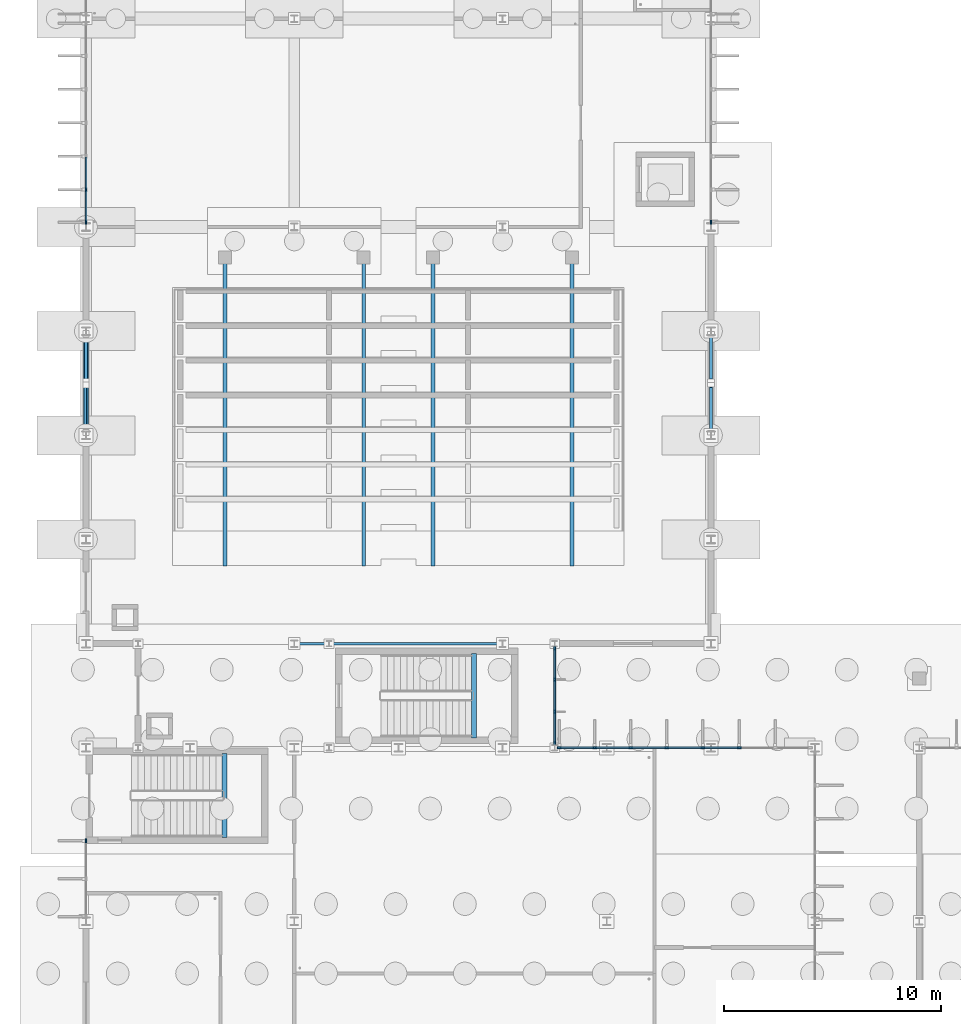
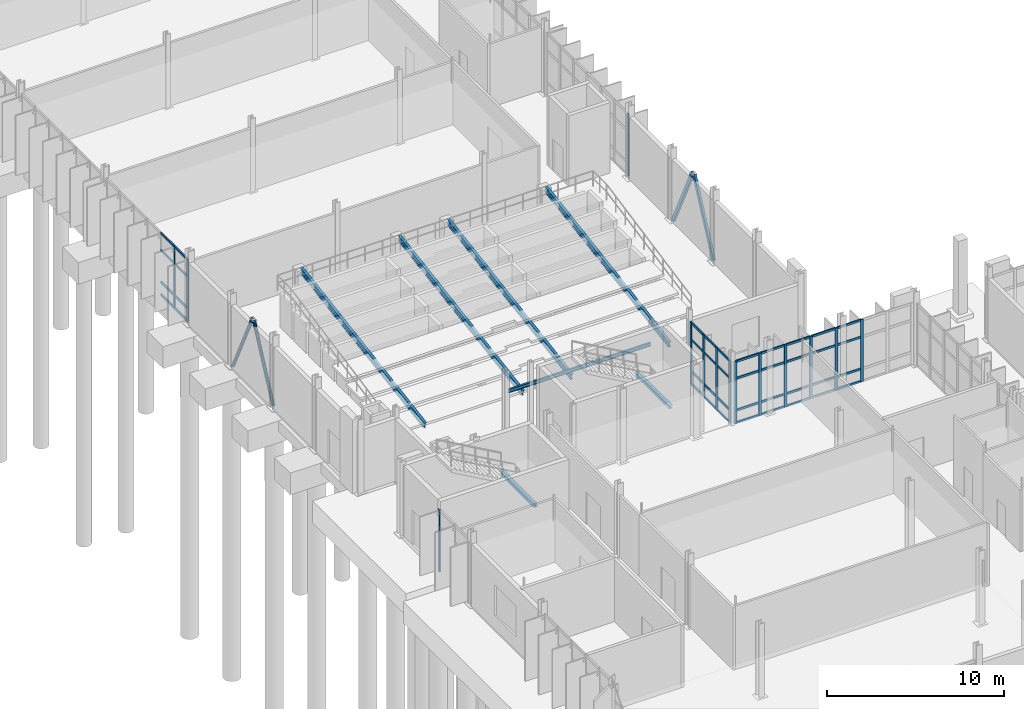
# One storey, part 24 of 111: 62 members, 3 beams, 5 elements without a shape of their own.
"""IFC4 building model written with IfcOpenShell, lengths in metres."""

import ifcopenshell
import ifcopenshell.guid

model = None  # the IFC model being written
_history = None  # IfcOwnerHistory: only IFC2X3 demands one
_inside = {}  # id of a spatial element -> (the spatial element, [elements in it])
_under = {}  # id of a project, library or spatial element -> (it, [spatial elements below it])
_declared = {}  # id of a project -> (the project, [libraries it declares])
_typed = {}  # id of a type object -> (the type object, [elements of that type])
_made_of = {}  # id of a material, layer set ... -> (it, [elements and type objects made of it])


def new_model(schema):
    """Start an empty IFC model of exactly this schema.

    Asked for "IFC4X3", IfcOpenShell would pick the latest addendum, in which some entities
    have other attributes; the version numbers below select the first issue.
    IFC2X3 requires an IfcOwnerHistory on every rooted entity: one is made here for all.
    """
    global model, _history
    if schema == "IFC4X3":
        model = ifcopenshell.file(schema_version=(4, 3, 0, 0))
    else:
        model = ifcopenshell.file(schema=schema)
    _inside.clear()
    _under.clear()
    _declared.clear()
    _typed.clear()
    _made_of.clear()
    _history = None
    if model.schema == "IFC2X3":
        org = make("IfcOrganization", Name="unknown")
        user = make(
            "IfcPersonAndOrganization",
            ThePerson=make("IfcPerson", FamilyName="unknown"),
            TheOrganization=org,
        )
        app = make(
            "IfcApplication",
            ApplicationDeveloper=org,
            Version="unknown",
            ApplicationFullName="unknown",
            ApplicationIdentifier="unknown",
        )
        _history = make(
            "IfcOwnerHistory",
            OwningUser=user,
            OwningApplication=app,
            ChangeAction="ADDED",
            CreationDate=0,
        )
    return model


def make(cls, **values):
    """One entity of the class cls with the attributes given. An attribute that is None is left unset."""
    return model.create_entity(
        cls, **{name: value for name, value in values.items() if value is not None}
    )


def rooted(cls, **values):
    """An entity with a GlobalId (a new one), such as an element, a storey or a relation."""
    return make(cls, GlobalId=ifcopenshell.guid.new(), OwnerHistory=_history, **values)


def si_unit(unit_type, name, prefix=None):
    """IfcSIUnit, for example si_unit("LENGTHUNIT", "METRE", prefix="MILLI")."""
    return make("IfcSIUnit", UnitType=unit_type, Prefix=prefix, Name=name)


def assignment(units):
    """IfcUnitAssignment: the units of a project."""
    return None if units is None else make("IfcUnitAssignment", Units=units)


def point(xyz):
    """IfcCartesianPoint."""
    return None if xyz is None else make("IfcCartesianPoint", Coordinates=xyz)


def direction(xyz):
    """IfcDirection."""
    return None if xyz is None else make("IfcDirection", DirectionRatios=xyz)


def frame(location, z_axis=None, x_axis=None):
    """IfcAxis2Placement3D, a coordinate frame: its origin and axes. An axis left out is left unset."""
    return make(
        "IfcAxis2Placement3D",
        Location=point(location),
        Axis=direction(z_axis),
        RefDirection=direction(x_axis),
    )


def frame_2d(location, x_axis=None):
    """IfcAxis2Placement2D, a coordinate frame in the plane: its origin and x axis."""
    return make(
        "IfcAxis2Placement2D", Location=point(location), RefDirection=direction(x_axis)
    )


def origin():
    """The frame at (0, 0, 0) with its axes left unset."""
    return frame((0.0, 0.0, 0.0))


def origin_2d():
    """The frame at (0, 0) in the plane with its x axis left unset."""
    return frame_2d((0.0, 0.0))


def place(relative_to, where):
    """IfcLocalPlacement: puts the frame where relative to a parent placement (None: the world)."""
    return make(
        "IfcLocalPlacement", PlacementRelTo=relative_to, RelativePlacement=where
    )


def context(
    kind, dimensions, precision=None, world=None, true_north=None, identifier=None
):
    """IfcGeometricRepresentationContext, for example the 3D "Model" context."""
    return make(
        "IfcGeometricRepresentationContext",
        ContextIdentifier=identifier,
        ContextType=kind,
        CoordinateSpaceDimension=dimensions,
        Precision=precision,
        WorldCoordinateSystem=world,
        TrueNorth=true_north,
    )


def subcontext(parent, identifier, kind, view, scale=None):
    """IfcGeometricRepresentationSubContext, for example "Body" below "Model"."""
    return make(
        "IfcGeometricRepresentationSubContext",
        ContextIdentifier=identifier,
        ContextType=kind,
        ParentContext=parent,
        TargetScale=scale,
        TargetView=view,
    )


def project(units=None, contexts=None):
    """IfcProject with its units and contexts."""
    return rooted(
        "IfcProject",
        Name="project",
        RepresentationContexts=contexts,
        UnitsInContext=assignment(units),
    )


def spatial(cls, under=None, at=None, **own):
    """A site, building, storey or space (cls), placed at a placement, below another one or the project."""
    s = rooted(cls, ObjectPlacement=at, **own)
    if under is not None:
        _under.setdefault(under.id(), (under, []))[1].append(s)
    return s


def profile(cls, at=None, kind="AREA", **sizes):
    """A parametric profile (cls). Its sizes go by their IFC names, for example OverallWidth=200.0."""
    return make(cls, ProfileType=kind, Position=at, **sizes)


def rectangle(**sizes):
    """IfcRectangleProfileDef."""
    return profile("IfcRectangleProfileDef", **sizes)


def hollow_rectangle(**sizes):
    """IfcRectangleHollowProfileDef."""
    return profile("IfcRectangleHollowProfileDef", **sizes)


def hollow_circle(**sizes):
    """IfcCircleHollowProfileDef."""
    return profile("IfcCircleHollowProfileDef", **sizes)


def i_section(**sizes):
    """IfcIShapeProfileDef."""
    return profile("IfcIShapeProfileDef", **sizes)


def extrude(swept, where, along, depth):
    """IfcExtrudedAreaSolid: the profile swept, set in the frame where, extruded along a direction by depth."""
    return make(
        "IfcExtrudedAreaSolid",
        SweptArea=swept,
        Position=where,
        ExtrudedDirection=direction(along),
        Depth=depth,
    )


def shape(context_of_items, identifier, shape_type, items):
    """IfcShapeRepresentation: the items that make up one representation, for example the "Body"."""
    return make(
        "IfcShapeRepresentation",
        ContextOfItems=context_of_items,
        RepresentationIdentifier=identifier,
        RepresentationType=shape_type,
        Items=items,
    )


def material(Name=None, Category=None):
    """IfcMaterial."""
    return make("IfcMaterial", Name=Name, Category=Category)


def material_profile(
    of_material, cross_section, Name=None, Category=None, Priority=None
):
    """IfcMaterialProfile: a cross section and its material."""
    return make(
        "IfcMaterialProfile",
        Name=Name,
        Material=of_material,
        Profile=cross_section,
        Priority=Priority,
        Category=Category,
    )


def profile_set(profiles, Name=None, composite=None):
    """IfcMaterialProfileSet."""
    return make(
        "IfcMaterialProfileSet",
        Name=Name,
        MaterialProfiles=profiles,
        CompositeProfile=composite,
    )


def made_of(thing, what):
    """Note that an element or type object is made of a material, layer set ...; save() writes the relation."""
    if what is not None:
        _made_of.setdefault(what.id(), (what, []))[1].append(thing)
    return thing


def type_object(cls, material=None, **own):
    """A type object (cls), such as IfcWallType, which elements share."""
    return made_of(rooted(cls, **own), material)


def element(
    cls,
    number,
    at=None,
    inside=None,
    cuts=None,
    type_object=None,
    material=None,
    context=None,
    identifier="Body",
    shape_type=None,
    held_by="IfcProductDefinitionShape",
    body=None,
    shapes=None,
    **own,
):
    """One element of the class cls, such as IfcWall. Its Tag is "e" and its number.

    at: its placement. inside: the storey or other place that contains it. cuts: it is an
    opening in that element (IfcRelVoidsElement). A single representation is given by context,
    identifier, shape_type and body (its items); several are given by shapes. held_by: the class
    of the entity that holds the representations. save() writes the other relations.
    """
    e = rooted(cls, Tag="e%d" % number, ObjectPlacement=at, **own)
    if body is not None:
        shapes = [shape(context, identifier, shape_type, body)]
    if shapes is not None:
        e.Representation = make(held_by, Representations=shapes)
    if inside is not None:
        _inside.setdefault(inside.id(), (inside, []))[1].append(e)
    if cuts is not None:
        rooted(
            "IfcRelVoidsElement", RelatingBuildingElement=cuts, RelatedOpeningElement=e
        )
    if type_object is not None:
        _typed.setdefault(type_object.id(), (type_object, []))[1].append(e)
    return made_of(e, material)


def aggregate(whole, parts):
    """IfcRelAggregates: a whole, such as a stair, and the parts it consists of."""
    return rooted("IfcRelAggregates", RelatingObject=whole, RelatedObjects=parts)


def save(model, path):
    """Write the relations noted so far, then the file.

    IfcRelAggregates (storeys below a building ...), IfcRelContainedInSpatialStructure (elements
    in a storey), IfcRelDefinesByType, IfcRelAssociatesMaterial and IfcRelDeclares: one each for
    every whole, place, type object, material and project.
    """
    for whole, parts in _under.values():
        aggregate(whole, parts)
    for where, things in _inside.values():
        rooted(
            "IfcRelContainedInSpatialStructure",
            RelatedElements=things,
            RelatingStructure=where,
        )
    for kind, things in _typed.values():
        rooted("IfcRelDefinesByType", RelatedObjects=things, RelatingType=kind)
    for what, things in _made_of.values():
        rooted("IfcRelAssociatesMaterial", RelatedObjects=things, RelatingMaterial=what)
    for by, libraries in _declared.values():
        rooted("IfcRelDeclares", RelatingContext=by, RelatedDefinitions=libraries)
    model.write(path)


model = new_model("IFC4")

# Units and contexts
model_context = context("Model", 3, precision=1e-05, world=origin(), true_north=direction((0.0, 1.0)))
body_context = subcontext(model_context, "Body", "Model", "MODEL_VIEW")
ifc_project = project(units=[si_unit("LENGTHUNIT", "METRE"), si_unit("AREAUNIT", "SQUARE_METRE"), si_unit("VOLUMEUNIT", "CUBIC_METRE"), si_unit("PLANEANGLEUNIT", "RADIAN"), si_unit("MASSUNIT", "GRAM", prefix="KILO")], contexts=[model_context])

# Site, building, storey
site_placement = place(None, origin())
site = spatial("IfcSite", under=ifc_project, at=site_placement, CompositionType="ELEMENT")
building_placement = place(site_placement, origin())
building = spatial("IfcBuilding", under=site, at=building_placement, Name="Dunescarp Central Library", CompositionType="ELEMENT")
storey_placement = place(building_placement, origin())
storey = spatial("IfcBuildingStorey", under=building, at=storey_placement, Name="L00", CompositionType="ELEMENT", Elevation=0.0)

# Curtain wall, members
ifc_material_1 = material(Name="Marine-grade anodised aluminium 6063-T6", Category="aluminium")
curtain_wall_type_1 = type_object("IfcCurtainWallType", Name="ARC-CW-STICK", PredefinedType="NOTDEFINED", material=ifc_material_1)
curtain_wall_1_placement = place(storey_placement, origin())
curtain_wall_1 = element("IfcCurtainWall", 1, at=curtain_wall_1_placement, inside=storey, type_object=curtain_wall_type_1, Name="L00 curtain wall CW-V1-002", PredefinedType="NOTDEFINED")
ifc_material_profile_1 = material_profile(ifc_material_1, rectangle(XDim=0.080078125, YDim=0.179931640625, at=origin_2d()), Name="AL 80x180")
ifc_profile_set_1 = profile_set([ifc_material_profile_1], Name="Marine-grade anodised aluminium 6063-T6")
member_type_1 = type_object("IfcMemberType", Name="ARC-CWM-180", PredefinedType="MULLION", material=ifc_profile_set_1)
member_1_placement = place(storey_placement, frame((21.81494140625, 36.800048828125, 0.0), z_axis=(0.0, 0.0, 1.0), x_axis=(0.0, 1.0, 0.0)))
member_1 = element("IfcMember", 2, at=member_1_placement, type_object=member_type_1, Name="CW-V1-002 mullion 1", PredefinedType="MULLION", context=body_context, shape_type="SweptSolid", body=[
    extrude(rectangle(XDim=0.080078125, YDim=0.179931640625, at=origin_2d()), origin(), (0.0, 0.0, 1.0), 4.304931640625),
])
member_2_placement = place(storey_placement, frame((23.439208984375, 36.800048828125, 0.0), z_axis=(0.0, 0.0, 1.0), x_axis=(0.0, 1.0, 0.0)))
member_2 = element("IfcMember", 3, at=member_2_placement, type_object=member_type_1, Name="CW-V1-002 mullion 2", PredefinedType="MULLION", context=body_context, shape_type="SweptSolid", body=[
    extrude(rectangle(XDim=0.080078125, YDim=0.179931640625, at=origin_2d()), origin(), (0.0, 0.0, 1.0), 4.304931640625),
])
member_3_placement = place(storey_placement, frame((25.103515625, 36.800048828125, 0.0), z_axis=(0.0, 0.0, 1.0), x_axis=(0.0, 1.0, 0.0)))
member_3 = element("IfcMember", 4, at=member_3_placement, type_object=member_type_1, Name="CW-V1-002 mullion 3", PredefinedType="MULLION", context=body_context, shape_type="SweptSolid", body=[
    extrude(rectangle(XDim=0.080078125, YDim=0.179931640625, at=origin_2d()), origin(), (0.0, 0.0, 1.0), 4.304931640625),
])
member_4_placement = place(storey_placement, frame((26.767822265625, 36.800048828125, 0.0), z_axis=(0.0, 0.0, 1.0), x_axis=(0.0, 1.0, 0.0)))
member_4 = element("IfcMember", 5, at=member_4_placement, type_object=member_type_1, Name="CW-V1-002 mullion 4", PredefinedType="MULLION", context=body_context, shape_type="SweptSolid", body=[
    extrude(rectangle(XDim=0.080078125, YDim=0.179931640625, at=origin_2d()), origin(), (0.0, 0.0, 1.0), 4.304931640625),
])
member_5_placement = place(storey_placement, frame((28.43212890625, 36.800048828125, 0.0), z_axis=(0.0, 0.0, 1.0), x_axis=(0.0, 1.0, 0.0)))
member_5 = element("IfcMember", 6, at=member_5_placement, type_object=member_type_1, Name="CW-V1-002 mullion 5", PredefinedType="MULLION", context=body_context, shape_type="SweptSolid", body=[
    extrude(rectangle(XDim=0.080078125, YDim=0.179931640625, at=origin_2d()), origin(), (0.0, 0.0, 1.0), 4.304931640625),
])
member_6_placement = place(storey_placement, frame((30.096435546875, 36.800048828125, 0.0), z_axis=(0.0, 0.0, 1.0), x_axis=(0.0, 1.0, 0.0)))
member_6 = element("IfcMember", 7, at=member_6_placement, type_object=member_type_1, Name="CW-V1-002 mullion 6", PredefinedType="MULLION", context=body_context, shape_type="SweptSolid", body=[
    extrude(rectangle(XDim=0.080078125, YDim=0.179931640625, at=origin_2d()), origin(), (0.0, 0.0, 1.0), 4.304931640625),
])

# Curtain wall, member
curtain_wall_2_placement = place(storey_placement, origin())
curtain_wall_2 = element("IfcCurtainWall", 8, at=curtain_wall_2_placement, inside=storey, type_object=curtain_wall_type_1, Name="L00 curtain wall CW-V1-004", PredefinedType="NOTDEFINED")
member_7_placement = place(storey_placement, frame((0.0, 32.510009765625, 0.0), z_axis=(0.0, 0.0, 1.0), x_axis=(-1.0, 0.0, 0.0)))
member_7 = element("IfcMember", 9, at=member_7_placement, type_object=member_type_1, Name="CW-V1-004 mullion 3", PredefinedType="MULLION", context=body_context, shape_type="SweptSolid", body=[
    extrude(rectangle(XDim=0.080078125, YDim=0.179931640625, at=origin_2d()), origin(), (0.0, 0.0, 1.0), 4.304931640625),
])
aggregate(curtain_wall_2, [member_7])

# Curtain wall, members
curtain_wall_3_placement = place(storey_placement, origin())
curtain_wall_3 = element("IfcCurtainWall", 10, at=curtain_wall_3_placement, inside=storey, type_object=curtain_wall_type_1, Name="L00 curtain wall CW-V4-112", PredefinedType="NOTDEFINED")
member_8_placement = place(storey_placement, frame((0.0, 61.014892578125, 0.0), z_axis=(0.0, 0.0, 1.0), x_axis=(-1.0, 0.0, 0.0)))
member_8 = element("IfcMember", 11, at=member_8_placement, type_object=member_type_1, Name="CW-V4-112 mullion 1", PredefinedType="MULLION", context=body_context, shape_type="SweptSolid", body=[
    extrude(rectangle(XDim=0.080078125, YDim=0.179931640625, at=origin_2d()), origin(), (0.0, 0.0, 1.0), 4.322021484375),
])
member_9_placement = place(storey_placement, frame((0.0, 62.5166015625, 0.0), z_axis=(0.0, 0.0, 1.0), x_axis=(-1.0, 0.0, 0.0)))
member_9 = element("IfcMember", 12, at=member_9_placement, type_object=member_type_1, Name="CW-V4-112 mullion 2", PredefinedType="MULLION", context=body_context, shape_type="SweptSolid", body=[
    extrude(rectangle(XDim=0.080078125, YDim=0.179931640625, at=origin_2d()), origin(), (0.0, 0.0, 1.0), 4.322021484375),
])

# Curtain wall, member
curtain_wall_4_placement = place(storey_placement, origin())
curtain_wall_4 = element("IfcCurtainWall", 13, at=curtain_wall_4_placement, inside=storey, type_object=curtain_wall_type_1, Name="L00 curtain wall CW-V4-113", PredefinedType="NOTDEFINED")
member_10_placement = place(storey_placement, frame((28.800048828125, 61.014892578125, 0.0), z_axis=(0.0, 0.0, 1.0), x_axis=(1.0, 0.0, 0.0)))
member_10 = element("IfcMember", 14, at=member_10_placement, type_object=member_type_1, Name="CW-V4-113 mullion 7", PredefinedType="MULLION", context=body_context, shape_type="SweptSolid", body=[
    extrude(rectangle(XDim=0.080078125, YDim=0.179931640625, at=origin_2d()), origin(), (0.0, 0.0, 1.0), 4.322021484375),
])
aggregate(curtain_wall_4, [member_10])

# Curtain wall, members
curtain_wall_type_2 = type_object("IfcCurtainWallType", Name="ARC-CW-LINK", PredefinedType="USERDEFINED", material=ifc_material_1)
curtain_wall_5_placement = place(storey_placement, origin())
curtain_wall_5 = element("IfcCurtainWall", 15, at=curtain_wall_5_placement, inside=storey, type_object=curtain_wall_type_2, Name="L00 curtain wall CW-GL4-E-L00", ObjectType="GLAZED_LINK_WALL", PredefinedType="USERDEFINED")
member_11_placement = place(storey_placement, frame((21.60009765625, 41.385009765625, 0.0), z_axis=(0.0, 0.0, 1.0), x_axis=(1.0, 0.0, 0.0)))
member_11 = element("IfcMember", 16, at=member_11_placement, type_object=member_type_1, Name="CW-GL4-E-L00 mullion 1", PredefinedType="MULLION", context=body_context, shape_type="SweptSolid", body=[
    extrude(rectangle(XDim=0.080078125, YDim=0.179931640625, at=origin_2d()), origin(), (0.0, 0.0, 1.0), 4.304931640625),
])
member_12_placement = place(storey_placement, frame((21.60009765625, 39.941650390625, 0.0), z_axis=(0.0, 0.0, 1.0), x_axis=(1.0, 0.0, 0.0)))
member_12 = element("IfcMember", 17, at=member_12_placement, type_object=member_type_1, Name="CW-GL4-E-L00 mullion 2", PredefinedType="MULLION", context=body_context, shape_type="SweptSolid", body=[
    extrude(rectangle(XDim=0.080078125, YDim=0.179931640625, at=origin_2d()), origin(), (0.0, 0.0, 1.0), 4.304931640625),
])
member_13_placement = place(storey_placement, frame((21.60009765625, 38.458251953125, 0.0), z_axis=(0.0, 0.0, 1.0), x_axis=(1.0, 0.0, 0.0)))
member_13 = element("IfcMember", 18, at=member_13_placement, type_object=member_type_1, Name="CW-GL4-E-L00 mullion 3", PredefinedType="MULLION", context=body_context, shape_type="SweptSolid", body=[
    extrude(rectangle(XDim=0.080078125, YDim=0.179931640625, at=origin_2d()), origin(), (0.0, 0.0, 1.0), 4.304931640625),
])
member_14_placement = place(storey_placement, frame((21.60009765625, 37.014892578125, 0.0), z_axis=(0.0, 0.0, 1.0), x_axis=(1.0, 0.0, 0.0)))
member_14 = element("IfcMember", 19, at=member_14_placement, type_object=member_type_1, Name="CW-GL4-E-L00 mullion 4", PredefinedType="MULLION", context=body_context, shape_type="SweptSolid", body=[
    extrude(rectangle(XDim=0.080078125, YDim=0.179931640625, at=origin_2d()), origin(), (0.0, 0.0, 1.0), 4.304931640625),
])

# Member
ifc_material_profile_2 = material_profile(ifc_material_1, rectangle(XDim=0.080078125, YDim=0.14990234375, at=origin_2d()), Name="AL 80x150")
ifc_profile_set_2 = profile_set([ifc_material_profile_2], Name="Marine-grade anodised aluminium 6063-T6")
member_type_2 = type_object("IfcMemberType", Name="ARC-CWT-150", PredefinedType="USERDEFINED", material=ifc_profile_set_2)
member_15_placement = place(storey_placement, frame((21.85498046875, 36.800048828125, 0.0400390625), z_axis=(1.0, 0.0, 0.0), x_axis=(0.0, 1.0, 0.0)))
member_15 = element("IfcMember", 20, at=member_15_placement, type_object=member_type_2, Name="CW-V1-002 transom 1.1", ObjectType="TRANSOM", PredefinedType="USERDEFINED", context=body_context, shape_type="SweptSolid", body=[
    extrude(rectangle(XDim=0.080078125, YDim=0.14990234375, at=origin_2d()), origin(), (0.0, 0.0, 1.0), 1.544189453125),
])

member_16_placement = place(storey_placement, frame((21.85498046875, 36.800048828125, 0.89990234375), z_axis=(1.0, 0.0, 0.0), x_axis=(0.0, 1.0, 0.0)))
member_16 = element("IfcMember", 21, at=member_16_placement, type_object=member_type_2, Name="CW-V1-002 transom 1.2", ObjectType="TRANSOM", PredefinedType="USERDEFINED", context=body_context, shape_type="SweptSolid", body=[
    extrude(rectangle(XDim=0.080078125, YDim=0.14990234375, at=origin_2d()), origin(), (0.0, 0.0, 1.0), 1.544189453125),
])

member_17_placement = place(storey_placement, frame((21.85498046875, 36.800048828125, 3.10009765625), z_axis=(1.0, 0.0, 0.0), x_axis=(0.0, 1.0, 0.0)))
member_17 = element("IfcMember", 22, at=member_17_placement, type_object=member_type_2, Name="CW-V1-002 transom 1.3", ObjectType="TRANSOM", PredefinedType="USERDEFINED", context=body_context, shape_type="SweptSolid", body=[
    extrude(rectangle(XDim=0.080078125, YDim=0.14990234375, at=origin_2d()), origin(), (0.0, 0.0, 1.0), 1.544189453125),
])

member_18_placement = place(storey_placement, frame((21.85498046875, 36.800048828125, 4.264892578125), z_axis=(1.0, 0.0, 0.0), x_axis=(0.0, 1.0, 0.0)))
member_18 = element("IfcMember", 23, at=member_18_placement, type_object=member_type_2, Name="CW-V1-002 transom 1.4", ObjectType="TRANSOM", PredefinedType="USERDEFINED", context=body_context, shape_type="SweptSolid", body=[
    extrude(rectangle(XDim=0.080078125, YDim=0.14990234375, at=origin_2d()), origin(), (0.0, 0.0, 1.0), 1.544189453125),
])

member_19_placement = place(storey_placement, frame((23.479248046875, 36.800048828125, 0.0400390625), z_axis=(1.0, 0.0, 0.0), x_axis=(0.0, 1.0, 0.0)))
member_19 = element("IfcMember", 24, at=member_19_placement, type_object=member_type_2, Name="CW-V1-002 transom 2.1", ObjectType="TRANSOM", PredefinedType="USERDEFINED", context=body_context, shape_type="SweptSolid", body=[
    extrude(rectangle(XDim=0.080078125, YDim=0.14990234375, at=origin_2d()), origin(), (0.0, 0.0, 1.0), 1.584228515625),
])

member_20_placement = place(storey_placement, frame((23.479248046875, 36.800048828125, 0.89990234375), z_axis=(1.0, 0.0, 0.0), x_axis=(0.0, 1.0, 0.0)))
member_20 = element("IfcMember", 25, at=member_20_placement, type_object=member_type_2, Name="CW-V1-002 transom 2.2", ObjectType="TRANSOM", PredefinedType="USERDEFINED", context=body_context, shape_type="SweptSolid", body=[
    extrude(rectangle(XDim=0.080078125, YDim=0.14990234375, at=origin_2d()), origin(), (0.0, 0.0, 1.0), 1.584228515625),
])

member_21_placement = place(storey_placement, frame((23.479248046875, 36.800048828125, 3.10009765625), z_axis=(1.0, 0.0, 0.0), x_axis=(0.0, 1.0, 0.0)))
member_21 = element("IfcMember", 26, at=member_21_placement, type_object=member_type_2, Name="CW-V1-002 transom 2.3", ObjectType="TRANSOM", PredefinedType="USERDEFINED", context=body_context, shape_type="SweptSolid", body=[
    extrude(rectangle(XDim=0.080078125, YDim=0.14990234375, at=origin_2d()), origin(), (0.0, 0.0, 1.0), 1.584228515625),
])

member_22_placement = place(storey_placement, frame((23.479248046875, 36.800048828125, 4.264892578125), z_axis=(1.0, 0.0, 0.0), x_axis=(0.0, 1.0, 0.0)))
member_22 = element("IfcMember", 27, at=member_22_placement, type_object=member_type_2, Name="CW-V1-002 transom 2.4", ObjectType="TRANSOM", PredefinedType="USERDEFINED", context=body_context, shape_type="SweptSolid", body=[
    extrude(rectangle(XDim=0.080078125, YDim=0.14990234375, at=origin_2d()), origin(), (0.0, 0.0, 1.0), 1.584228515625),
])

member_23_placement = place(storey_placement, frame((25.1435546875, 36.800048828125, 0.0400390625), z_axis=(1.0, 0.0, 0.0), x_axis=(0.0, 1.0, 0.0)))
member_23 = element("IfcMember", 28, at=member_23_placement, type_object=member_type_2, Name="CW-V1-002 transom 3.1", ObjectType="TRANSOM", PredefinedType="USERDEFINED", context=body_context, shape_type="SweptSolid", body=[
    extrude(rectangle(XDim=0.080078125, YDim=0.14990234375, at=origin_2d()), origin(), (0.0, 0.0, 1.0), 1.584228515625),
])

member_24_placement = place(storey_placement, frame((25.1435546875, 36.800048828125, 0.89990234375), z_axis=(1.0, 0.0, 0.0), x_axis=(0.0, 1.0, 0.0)))
member_24 = element("IfcMember", 29, at=member_24_placement, type_object=member_type_2, Name="CW-V1-002 transom 3.2", ObjectType="TRANSOM", PredefinedType="USERDEFINED", context=body_context, shape_type="SweptSolid", body=[
    extrude(rectangle(XDim=0.080078125, YDim=0.14990234375, at=origin_2d()), origin(), (0.0, 0.0, 1.0), 1.584228515625),
])

member_25_placement = place(storey_placement, frame((25.1435546875, 36.800048828125, 3.10009765625), z_axis=(1.0, 0.0, 0.0), x_axis=(0.0, 1.0, 0.0)))
member_25 = element("IfcMember", 30, at=member_25_placement, type_object=member_type_2, Name="CW-V1-002 transom 3.3", ObjectType="TRANSOM", PredefinedType="USERDEFINED", context=body_context, shape_type="SweptSolid", body=[
    extrude(rectangle(XDim=0.080078125, YDim=0.14990234375, at=origin_2d()), origin(), (0.0, 0.0, 1.0), 1.584228515625),
])

member_26_placement = place(storey_placement, frame((25.1435546875, 36.800048828125, 4.264892578125), z_axis=(1.0, 0.0, 0.0), x_axis=(0.0, 1.0, 0.0)))
member_26 = element("IfcMember", 31, at=member_26_placement, type_object=member_type_2, Name="CW-V1-002 transom 3.4", ObjectType="TRANSOM", PredefinedType="USERDEFINED", context=body_context, shape_type="SweptSolid", body=[
    extrude(rectangle(XDim=0.080078125, YDim=0.14990234375, at=origin_2d()), origin(), (0.0, 0.0, 1.0), 1.584228515625),
])

member_27_placement = place(storey_placement, frame((26.807861328125, 36.800048828125, 0.0400390625), z_axis=(1.0, 0.0, 0.0), x_axis=(0.0, 1.0, 0.0)))
member_27 = element("IfcMember", 32, at=member_27_placement, type_object=member_type_2, Name="CW-V1-002 transom 4.1", ObjectType="TRANSOM", PredefinedType="USERDEFINED", context=body_context, shape_type="SweptSolid", body=[
    extrude(rectangle(XDim=0.080078125, YDim=0.14990234375, at=origin_2d()), origin(), (0.0, 0.0, 1.0), 1.584228515625),
])

member_28_placement = place(storey_placement, frame((26.807861328125, 36.800048828125, 0.89990234375), z_axis=(1.0, 0.0, 0.0), x_axis=(0.0, 1.0, 0.0)))
member_28 = element("IfcMember", 33, at=member_28_placement, type_object=member_type_2, Name="CW-V1-002 transom 4.2", ObjectType="TRANSOM", PredefinedType="USERDEFINED", context=body_context, shape_type="SweptSolid", body=[
    extrude(rectangle(XDim=0.080078125, YDim=0.14990234375, at=origin_2d()), origin(), (0.0, 0.0, 1.0), 1.584228515625),
])

member_29_placement = place(storey_placement, frame((26.807861328125, 36.800048828125, 3.10009765625), z_axis=(1.0, 0.0, 0.0), x_axis=(0.0, 1.0, 0.0)))
member_29 = element("IfcMember", 34, at=member_29_placement, type_object=member_type_2, Name="CW-V1-002 transom 4.3", ObjectType="TRANSOM", PredefinedType="USERDEFINED", context=body_context, shape_type="SweptSolid", body=[
    extrude(rectangle(XDim=0.080078125, YDim=0.14990234375, at=origin_2d()), origin(), (0.0, 0.0, 1.0), 1.584228515625),
])

member_30_placement = place(storey_placement, frame((26.807861328125, 36.800048828125, 4.264892578125), z_axis=(1.0, 0.0, 0.0), x_axis=(0.0, 1.0, 0.0)))
member_30 = element("IfcMember", 35, at=member_30_placement, type_object=member_type_2, Name="CW-V1-002 transom 4.4", ObjectType="TRANSOM", PredefinedType="USERDEFINED", context=body_context, shape_type="SweptSolid", body=[
    extrude(rectangle(XDim=0.080078125, YDim=0.14990234375, at=origin_2d()), origin(), (0.0, 0.0, 1.0), 1.584228515625),
])

member_31_placement = place(storey_placement, frame((28.47216796875, 36.800048828125, 0.0400390625), z_axis=(1.0, 0.0, 0.0), x_axis=(0.0, 1.0, 0.0)))
member_31 = element("IfcMember", 36, at=member_31_placement, type_object=member_type_2, Name="CW-V1-002 transom 5.1", ObjectType="TRANSOM", PredefinedType="USERDEFINED", context=body_context, shape_type="SweptSolid", body=[
    extrude(rectangle(XDim=0.080078125, YDim=0.14990234375, at=origin_2d()), origin(), (0.0, 0.0, 1.0), 1.584228515625),
])

member_32_placement = place(storey_placement, frame((28.47216796875, 36.800048828125, 0.89990234375), z_axis=(1.0, 0.0, 0.0), x_axis=(0.0, 1.0, 0.0)))
member_32 = element("IfcMember", 37, at=member_32_placement, type_object=member_type_2, Name="CW-V1-002 transom 5.2", ObjectType="TRANSOM", PredefinedType="USERDEFINED", context=body_context, shape_type="SweptSolid", body=[
    extrude(rectangle(XDim=0.080078125, YDim=0.14990234375, at=origin_2d()), origin(), (0.0, 0.0, 1.0), 1.584228515625),
])

member_33_placement = place(storey_placement, frame((28.47216796875, 36.800048828125, 3.10009765625), z_axis=(1.0, 0.0, 0.0), x_axis=(0.0, 1.0, 0.0)))
member_33 = element("IfcMember", 38, at=member_33_placement, type_object=member_type_2, Name="CW-V1-002 transom 5.3", ObjectType="TRANSOM", PredefinedType="USERDEFINED", context=body_context, shape_type="SweptSolid", body=[
    extrude(rectangle(XDim=0.080078125, YDim=0.14990234375, at=origin_2d()), origin(), (0.0, 0.0, 1.0), 1.584228515625),
])

member_34_placement = place(storey_placement, frame((28.47216796875, 36.800048828125, 4.264892578125), z_axis=(1.0, 0.0, 0.0), x_axis=(0.0, 1.0, 0.0)))
member_34 = element("IfcMember", 39, at=member_34_placement, type_object=member_type_2, Name="CW-V1-002 transom 5.4", ObjectType="TRANSOM", PredefinedType="USERDEFINED", context=body_context, shape_type="SweptSolid", body=[
    extrude(rectangle(XDim=0.080078125, YDim=0.14990234375, at=origin_2d()), origin(), (0.0, 0.0, 1.0), 1.584228515625),
])

aggregate(curtain_wall_1, [member_1, member_2, member_3, member_4, member_5, member_6, member_15, member_16, member_17, member_18, member_19, member_20, member_21, member_22, member_23, member_24, member_25, member_26, member_27, member_28, member_29, member_30, member_31, member_32, member_33, member_34])

member_35_placement = place(storey_placement, frame((0.0, 61.054931640625, 0.0400390625), z_axis=(0.0, 1.0, 0.0), x_axis=(-1.0, 0.0, 0.0)))
member_35 = element("IfcMember", 40, at=member_35_placement, type_object=member_type_2, Name="CW-V4-112 transom 1.1", ObjectType="TRANSOM", PredefinedType="USERDEFINED", context=body_context, shape_type="SweptSolid", body=[
    extrude(rectangle(XDim=0.080078125, YDim=0.14990234375, at=origin_2d()), origin(), (0.0, 0.0, 1.0), 1.421630859375),
])

member_36_placement = place(storey_placement, frame((0.0, 61.054931640625, 0.89990234375), z_axis=(0.0, 1.0, 0.0), x_axis=(-1.0, 0.0, 0.0)))
member_36 = element("IfcMember", 41, at=member_36_placement, type_object=member_type_2, Name="CW-V4-112 transom 1.2", ObjectType="TRANSOM", PredefinedType="USERDEFINED", context=body_context, shape_type="SweptSolid", body=[
    extrude(rectangle(XDim=0.080078125, YDim=0.14990234375, at=origin_2d()), origin(), (0.0, 0.0, 1.0), 1.421630859375),
])

member_37_placement = place(storey_placement, frame((0.0, 61.054931640625, 3.10009765625), z_axis=(0.0, 1.0, 0.0), x_axis=(-1.0, 0.0, 0.0)))
member_37 = element("IfcMember", 42, at=member_37_placement, type_object=member_type_2, Name="CW-V4-112 transom 1.3", ObjectType="TRANSOM", PredefinedType="USERDEFINED", context=body_context, shape_type="SweptSolid", body=[
    extrude(rectangle(XDim=0.080078125, YDim=0.14990234375, at=origin_2d()), origin(), (0.0, 0.0, 1.0), 1.421630859375),
])

member_38_placement = place(storey_placement, frame((0.0, 61.054931640625, 4.281982421875), z_axis=(0.0, 1.0, 0.0), x_axis=(-1.0, 0.0, 0.0)))
member_38 = element("IfcMember", 43, at=member_38_placement, type_object=member_type_2, Name="CW-V4-112 transom 1.4", ObjectType="TRANSOM", PredefinedType="USERDEFINED", context=body_context, shape_type="SweptSolid", body=[
    extrude(rectangle(XDim=0.080078125, YDim=0.14990234375, at=origin_2d()), origin(), (0.0, 0.0, 1.0), 1.421630859375),
])

member_39_placement = place(storey_placement, frame((0.0, 62.556640625, 0.0400390625), z_axis=(0.0, 1.0, 0.0), x_axis=(-1.0, 0.0, 0.0)))
member_39 = element("IfcMember", 44, at=member_39_placement, type_object=member_type_2, Name="CW-V4-112 transom 2.1", ObjectType="TRANSOM", PredefinedType="USERDEFINED", context=body_context, shape_type="SweptSolid", body=[
    extrude(rectangle(XDim=0.080078125, YDim=0.14990234375, at=origin_2d()), origin(), (0.0, 0.0, 1.0), 1.461669921875),
])

member_40_placement = place(storey_placement, frame((0.0, 62.556640625, 0.89990234375), z_axis=(0.0, 1.0, 0.0), x_axis=(-1.0, 0.0, 0.0)))
member_40 = element("IfcMember", 45, at=member_40_placement, type_object=member_type_2, Name="CW-V4-112 transom 2.2", ObjectType="TRANSOM", PredefinedType="USERDEFINED", context=body_context, shape_type="SweptSolid", body=[
    extrude(rectangle(XDim=0.080078125, YDim=0.14990234375, at=origin_2d()), origin(), (0.0, 0.0, 1.0), 1.461669921875),
])

member_41_placement = place(storey_placement, frame((0.0, 62.556640625, 3.10009765625), z_axis=(0.0, 1.0, 0.0), x_axis=(-1.0, 0.0, 0.0)))
member_41 = element("IfcMember", 46, at=member_41_placement, type_object=member_type_2, Name="CW-V4-112 transom 2.3", ObjectType="TRANSOM", PredefinedType="USERDEFINED", context=body_context, shape_type="SweptSolid", body=[
    extrude(rectangle(XDim=0.080078125, YDim=0.14990234375, at=origin_2d()), origin(), (0.0, 0.0, 1.0), 1.461669921875),
])

member_42_placement = place(storey_placement, frame((0.0, 62.556640625, 4.281982421875), z_axis=(0.0, 1.0, 0.0), x_axis=(-1.0, 0.0, 0.0)))
member_42 = element("IfcMember", 47, at=member_42_placement, type_object=member_type_2, Name="CW-V4-112 transom 2.4", ObjectType="TRANSOM", PredefinedType="USERDEFINED", context=body_context, shape_type="SweptSolid", body=[
    extrude(rectangle(XDim=0.080078125, YDim=0.14990234375, at=origin_2d()), origin(), (0.0, 0.0, 1.0), 1.461669921875),
])

aggregate(curtain_wall_3, [member_8, member_9, member_35, member_36, member_37, member_38, member_39, member_40, member_41, member_42])

member_43_placement = place(storey_placement, frame((21.60009765625, 41.344970703125, 0.0400390625), z_axis=(0.0, -1.0, 0.0), x_axis=(1.0, 0.0, 0.0)))
member_43 = element("IfcMember", 48, at=member_43_placement, type_object=member_type_2, Name="CW-GL4-E-L00 transom 1.1", ObjectType="TRANSOM", PredefinedType="USERDEFINED", context=body_context, shape_type="SweptSolid", body=[
    extrude(rectangle(XDim=0.080078125, YDim=0.14990234375, at=origin_2d()), origin(), (0.0, 0.0, 1.0), 1.36328125),
])

member_44_placement = place(storey_placement, frame((21.60009765625, 41.344970703125, 0.89990234375), z_axis=(0.0, -1.0, 0.0), x_axis=(1.0, 0.0, 0.0)))
member_44 = element("IfcMember", 49, at=member_44_placement, type_object=member_type_2, Name="CW-GL4-E-L00 transom 1.2", ObjectType="TRANSOM", PredefinedType="USERDEFINED", context=body_context, shape_type="SweptSolid", body=[
    extrude(rectangle(XDim=0.080078125, YDim=0.14990234375, at=origin_2d()), origin(), (0.0, 0.0, 1.0), 1.36328125),
])

member_45_placement = place(storey_placement, frame((21.60009765625, 41.344970703125, 3.10009765625), z_axis=(0.0, -1.0, 0.0), x_axis=(1.0, 0.0, 0.0)))
member_45 = element("IfcMember", 50, at=member_45_placement, type_object=member_type_2, Name="CW-GL4-E-L00 transom 1.3", ObjectType="TRANSOM", PredefinedType="USERDEFINED", context=body_context, shape_type="SweptSolid", body=[
    extrude(rectangle(XDim=0.080078125, YDim=0.14990234375, at=origin_2d()), origin(), (0.0, 0.0, 1.0), 1.36328125),
])

member_46_placement = place(storey_placement, frame((21.60009765625, 41.344970703125, 4.264892578125), z_axis=(0.0, -1.0, 0.0), x_axis=(1.0, 0.0, 0.0)))
member_46 = element("IfcMember", 51, at=member_46_placement, type_object=member_type_2, Name="CW-GL4-E-L00 transom 1.4", ObjectType="TRANSOM", PredefinedType="USERDEFINED", context=body_context, shape_type="SweptSolid", body=[
    extrude(rectangle(XDim=0.080078125, YDim=0.14990234375, at=origin_2d()), origin(), (0.0, 0.0, 1.0), 1.36328125),
])

member_47_placement = place(storey_placement, frame((21.60009765625, 39.901611328125, 0.0400390625), z_axis=(0.0, -1.0, 0.0), x_axis=(1.0, 0.0, 0.0)))
member_47 = element("IfcMember", 52, at=member_47_placement, type_object=member_type_2, Name="CW-GL4-E-L00 transom 2.1", ObjectType="TRANSOM", PredefinedType="USERDEFINED", context=body_context, shape_type="SweptSolid", body=[
    extrude(rectangle(XDim=0.080078125, YDim=0.14990234375, at=origin_2d()), origin(), (0.0, 0.0, 1.0), 1.4033203125),
])

member_48_placement = place(storey_placement, frame((21.60009765625, 39.901611328125, 0.89990234375), z_axis=(0.0, -1.0, 0.0), x_axis=(1.0, 0.0, 0.0)))
member_48 = element("IfcMember", 53, at=member_48_placement, type_object=member_type_2, Name="CW-GL4-E-L00 transom 2.2", ObjectType="TRANSOM", PredefinedType="USERDEFINED", context=body_context, shape_type="SweptSolid", body=[
    extrude(rectangle(XDim=0.080078125, YDim=0.14990234375, at=origin_2d()), origin(), (0.0, 0.0, 1.0), 1.4033203125),
])

member_49_placement = place(storey_placement, frame((21.60009765625, 39.901611328125, 3.10009765625), z_axis=(0.0, -1.0, 0.0), x_axis=(1.0, 0.0, 0.0)))
member_49 = element("IfcMember", 54, at=member_49_placement, type_object=member_type_2, Name="CW-GL4-E-L00 transom 2.3", ObjectType="TRANSOM", PredefinedType="USERDEFINED", context=body_context, shape_type="SweptSolid", body=[
    extrude(rectangle(XDim=0.080078125, YDim=0.14990234375, at=origin_2d()), origin(), (0.0, 0.0, 1.0), 1.4033203125),
])

member_50_placement = place(storey_placement, frame((21.60009765625, 39.901611328125, 4.264892578125), z_axis=(0.0, -1.0, 0.0), x_axis=(1.0, 0.0, 0.0)))
member_50 = element("IfcMember", 55, at=member_50_placement, type_object=member_type_2, Name="CW-GL4-E-L00 transom 2.4", ObjectType="TRANSOM", PredefinedType="USERDEFINED", context=body_context, shape_type="SweptSolid", body=[
    extrude(rectangle(XDim=0.080078125, YDim=0.14990234375, at=origin_2d()), origin(), (0.0, 0.0, 1.0), 1.4033203125),
])

member_51_placement = place(storey_placement, frame((21.60009765625, 38.418212890625, 0.0400390625), z_axis=(0.0, -1.0, 0.0), x_axis=(1.0, 0.0, 0.0)))
member_51 = element("IfcMember", 56, at=member_51_placement, type_object=member_type_2, Name="CW-GL4-E-L00 transom 3.1", ObjectType="TRANSOM", PredefinedType="USERDEFINED", context=body_context, shape_type="SweptSolid", body=[
    extrude(rectangle(XDim=0.080078125, YDim=0.14990234375, at=origin_2d()), origin(), (0.0, 0.0, 1.0), 1.36328125),
])

member_52_placement = place(storey_placement, frame((21.60009765625, 38.418212890625, 0.89990234375), z_axis=(0.0, -1.0, 0.0), x_axis=(1.0, 0.0, 0.0)))
member_52 = element("IfcMember", 57, at=member_52_placement, type_object=member_type_2, Name="CW-GL4-E-L00 transom 3.2", ObjectType="TRANSOM", PredefinedType="USERDEFINED", context=body_context, shape_type="SweptSolid", body=[
    extrude(rectangle(XDim=0.080078125, YDim=0.14990234375, at=origin_2d()), origin(), (0.0, 0.0, 1.0), 1.36328125),
])

member_53_placement = place(storey_placement, frame((21.60009765625, 38.418212890625, 3.10009765625), z_axis=(0.0, -1.0, 0.0), x_axis=(1.0, 0.0, 0.0)))
member_53 = element("IfcMember", 58, at=member_53_placement, type_object=member_type_2, Name="CW-GL4-E-L00 transom 3.3", ObjectType="TRANSOM", PredefinedType="USERDEFINED", context=body_context, shape_type="SweptSolid", body=[
    extrude(rectangle(XDim=0.080078125, YDim=0.14990234375, at=origin_2d()), origin(), (0.0, 0.0, 1.0), 1.36328125),
])

member_54_placement = place(storey_placement, frame((21.60009765625, 38.418212890625, 4.264892578125), z_axis=(0.0, -1.0, 0.0), x_axis=(1.0, 0.0, 0.0)))
member_54 = element("IfcMember", 59, at=member_54_placement, type_object=member_type_2, Name="CW-GL4-E-L00 transom 3.4", ObjectType="TRANSOM", PredefinedType="USERDEFINED", context=body_context, shape_type="SweptSolid", body=[
    extrude(rectangle(XDim=0.080078125, YDim=0.14990234375, at=origin_2d()), origin(), (0.0, 0.0, 1.0), 1.36328125),
])

aggregate(curtain_wall_5, [member_11, member_12, member_13, member_14, member_43, member_44, member_45, member_46, member_47, member_48, member_49, member_50, member_51, member_52, member_53, member_54])

# Members
ifc_material_2 = material(Name="Steel S355J0", Category="steel")
ifc_material_profile_3 = material_profile(ifc_material_2, hollow_circle(Radius=0.109619140625, WallThickness=0.010009765625, at=origin_2d()), Name="CHS 219.1x10")
ifc_profile_set_3 = profile_set([ifc_material_profile_3], Name="Steel S355J0")
member_type_3 = type_object("IfcMemberType", Name="STR-BR-219", PredefinedType="BRACE", material=ifc_profile_set_3)
for number, where, z_axis, x_axis, name in (
    (60, (0.0, 51.320068359375, 0.044921875), (0.0, 0.431831911382, 0.901954101001), (-1.0, 0.0, 0.0), "L00 concentric brace BR-L00-049"),
    (61, (0.0, 55.8798828125, 0.044921875), (0.0, -0.431831911382, 0.901954101001), (1.0, 0.0, 0.0), "L00 concentric brace BR-L00-050"),
):
    element("IfcMember", number, at=place(storey_placement, frame(where, z_axis=z_axis, x_axis=x_axis)), inside=storey, type_object=member_type_3, Name=name, PredefinedType="BRACE", context=body_context, shape_type="SweptSolid", body=[
        extrude(hollow_circle(Radius=0.109619140625, WallThickness=0.010009765625, at=origin_2d()), origin(), (0.0, 0.0, 1.0), 5.094482421875),
    ])
ifc_material_profile_4 = material_profile(ifc_material_2, hollow_rectangle(XDim=0.14990234375, YDim=0.25, WallThickness=0.008056640625, at=origin_2d()), Name="RHS 250x150x8")
ifc_profile_set_4 = profile_set([ifc_material_profile_4], Name="Steel S355J0")
member_type_4 = type_object("IfcMemberType", Name="STR-BR-RHS250", PredefinedType="BRACE", material=ifc_profile_set_4)
for number, where, z_axis, x_axis, name in (
    (62, (28.800048828125, 51.320068359375, 0.044921875), (0.0, 0.431831911382, 0.901954101001), (-1.0, 0.0, 0.0), "L00 concentric brace BR-L00-055"),
    (63, (28.800048828125, 55.8798828125, 0.044921875), (0.0, -0.431831911382, 0.901954101001), (1.0, 0.0, 0.0), "L00 concentric brace BR-L00-056"),
):
    element("IfcMember", number, at=place(storey_placement, frame(where, z_axis=z_axis, x_axis=x_axis)), inside=storey, type_object=member_type_4, Name=name, PredefinedType="BRACE", context=body_context, shape_type="SweptSolid", body=[
        extrude(hollow_rectangle(XDim=0.14990234375, YDim=0.25, WallThickness=0.008056640625, at=origin_2d()), origin(), (0.0, 0.0, 1.0), 5.094482421875),
    ])

# Beams
ifc_material_3 = material(Name="Steel S355JR", Category="steel")
ifc_material_profile_5 = material_profile(ifc_material_3, i_section(OverallWidth=0.239990234375, OverallDepth=0.22998046875, WebThickness=0.007568359375, FlangeThickness=0.011962890625, at=origin_2d()), Name="HEA 240")
ifc_profile_set_5 = profile_set([ifc_material_profile_5], Name="Steel S355JR")
beam_type_1 = type_object("IfcBeamType", Name="STR-JS-HEA240", PredefinedType="JOIST", material=ifc_profile_set_5)
beam_1_placement = place(storey_placement, frame((6.3798828125, 32.659912109375, 2.235107421875), z_axis=(0.0, 1.0, 0.0), x_axis=(-1.0, 0.0, 0.0)))
element("IfcBeam", 64, at=beam_1_placement, inside=storey, type_object=beam_type_1, Name="L00 ST-6 landing trimmer beam BM-ST-007", PredefinedType="BEAM", context=body_context, shape_type="SweptSolid", body=[
    extrude(i_section(OverallWidth=0.239990234375, OverallDepth=0.22998046875, WebThickness=0.007568359375, FlangeThickness=0.011962890625, at=origin_2d()), origin(), (0.0, 0.0, 1.0), 3.880126953125),
])
beam_2_placement = place(storey_placement, frame((17.8798828125, 37.260009765625, 2.235107421875), z_axis=(0.0, 1.0, 0.0), x_axis=(-1.0, 0.0, 0.0)))
element("IfcBeam", 65, at=beam_2_placement, inside=storey, type_object=beam_type_1, Name="L00 ST-4 landing trimmer beam BM-ST-025", PredefinedType="BEAM", context=body_context, shape_type="SweptSolid", body=[
    extrude(i_section(OverallWidth=0.239990234375, OverallDepth=0.22998046875, WebThickness=0.007568359375, FlangeThickness=0.011962890625, at=origin_2d()), origin(), (0.0, 0.0, 1.0), 3.8798828125),
])
ifc_material_profile_6 = material_profile(ifc_material_3, i_section(OverallWidth=0.1201171875, OverallDepth=0.239990234375, WebThickness=0.006103515625, FlangeThickness=0.009765625, at=origin_2d()), Name="IPE 240")
ifc_profile_set_6 = profile_set([ifc_material_profile_6], Name="Steel S355JR")
beam_type_2 = type_object("IfcBeamType", Name="STR-LN-IPE240", PredefinedType="LINTEL", material=ifc_profile_set_6)
beam_3_placement = place(storey_placement, frame((9.74609375, 41.60009765625, 3.550048828125), z_axis=(1.0, 0.0, 0.0), x_axis=(0.0, 1.0, 0.0)))
element("IfcBeam", 66, at=beam_3_placement, inside=storey, type_object=beam_type_2, Name="L00 structural lintel LN-L00-03", PredefinedType="LINTEL", context=body_context, shape_type="SweptSolid", body=[
    extrude(i_section(OverallWidth=0.1201171875, OverallDepth=0.239990234375, WebThickness=0.006103515625, FlangeThickness=0.009765625, at=origin_2d()), origin(), (0.0, 0.0, 1.0), 9.307861328125),
])

# Members
ifc_material_profile_7 = material_profile(ifc_material_3, i_section(OverallWidth=0.179931640625, OverallDepth=0.39990234375, WebThickness=0.008544921875, FlangeThickness=0.013427734375, at=origin_2d()), Name="IPE 400")
ifc_profile_set_7 = profile_set([ifc_material_profile_7], Name="Steel S355JR")
member_type_5 = type_object("IfcMemberType", Name="STR-RF-IPE400", PredefinedType="RAFTER", material=ifc_profile_set_7)
for number, where, z_axis, x_axis, name in (
    (67, (6.39990234375, 45.199951171875, 0.14990234375), (0.0, 0.987198199792, 0.159498320764), (-1.0, 0.0, 0.0), "Auditorium raker beam 6.4"),
    (68, (12.800048828125, 45.199951171875, 0.14990234375), (0.0, 0.987198199792, 0.159498320764), (-1.0, 0.0, 0.0), "Auditorium raker beam 12.8"),
    (69, (16.0, 45.199951171875, 0.14990234375), (0.0, 0.987198199792, 0.159498320764), (-1.0, 0.0, 0.0), "Auditorium raker beam 16.0"),
    (70, (22.39990234375, 45.199951171875, 0.14990234375), (0.0, 0.987198199792, 0.159498320764), (-1.0, 0.0, 0.0), "Auditorium raker beam 22.4"),
):
    element("IfcMember", number, at=place(storey_placement, frame(where, z_axis=z_axis, x_axis=x_axis)), inside=storey, type_object=member_type_5, Name=name, PredefinedType="RAFTER", context=body_context, shape_type="SweptSolid", body=[
        extrude(i_section(OverallWidth=0.179931640625, OverallDepth=0.39990234375, WebThickness=0.008544921875, FlangeThickness=0.013427734375, at=origin_2d()), origin(), (0.0, 0.0, 1.0), 14.232177734375),
    ])

save(model, "model.ifc")
